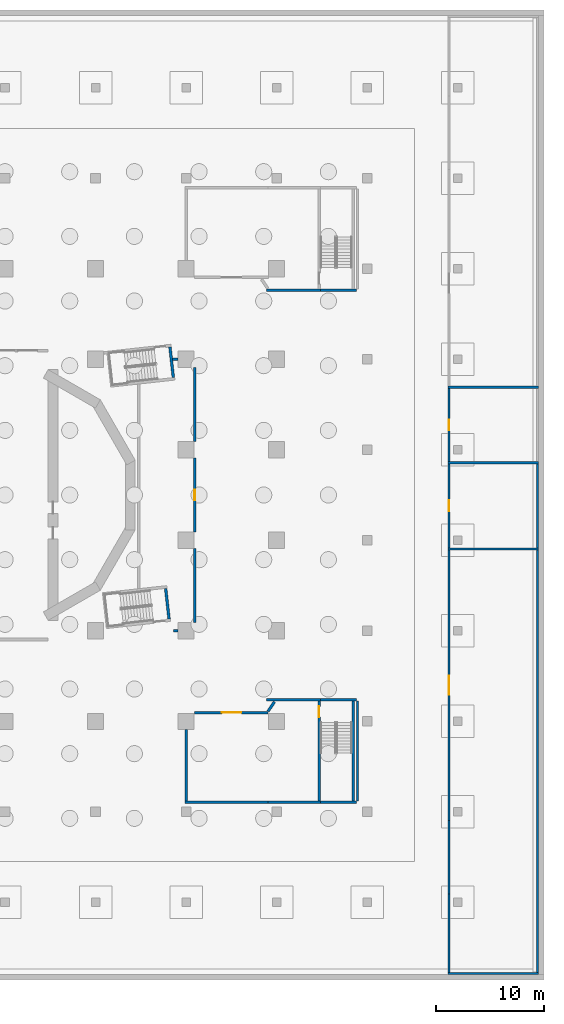
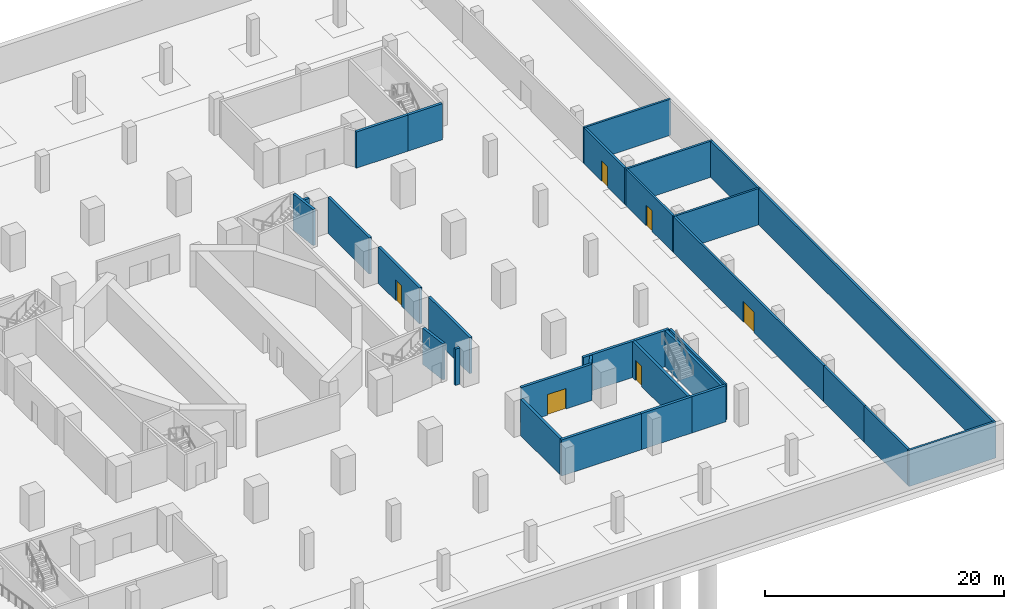
# One storey, part 8 of 20: 31 walls, 6 doors, 6 openings.
"""IFC4 building model written with IfcOpenShell, lengths in metres."""

from ifc_helpers import new_model, si_unit, direction, frame, frame_2d, origin, place, context, subcontext, project, spatial, rectangle, extrude, material, layer, layer_set, type_object, element, fill, save


model = new_model("IFC4")

# Units and contexts
model_context = context("Model", 3, precision=1e-05, world=origin(), true_north=direction((0.0, 1.0)))
body_context = subcontext(model_context, "Body", "Model", "MODEL_VIEW")
ifc_project = project(units=[si_unit("LENGTHUNIT", "METRE"), si_unit("AREAUNIT", "SQUARE_METRE"), si_unit("VOLUMEUNIT", "CUBIC_METRE"), si_unit("PLANEANGLEUNIT", "RADIAN"), si_unit("MASSUNIT", "GRAM", prefix="KILO")], contexts=[model_context])

# Site, building, storey
site_placement = place(None, origin())
site = spatial("IfcSite", under=ifc_project, at=site_placement, CompositionType="ELEMENT")
building_placement = place(site_placement, origin())
building = spatial("IfcBuilding", under=site, at=building_placement, Name="Cantera Rosa Tower", CompositionType="ELEMENT")
storey_placement = place(building_placement, frame((0.0, 0.0, -17.0)))
storey = spatial("IfcBuildingStorey", under=building, at=storey_placement, Name="B4", CompositionType="ELEMENT", Elevation=-17.0)

# Walls
ifc_material_1 = material(Name="Masonry blockwork", Category="masonry")
ifc_layer_1 = layer(ifc_material_1, 0.199951171875)
ifc_layer_set_1 = layer_set([ifc_layer_1], Name="Blockwork partition 200")
wall_type_1 = type_object("IfcWallType", Name="Blockwork partition 200", PredefinedType="PARTITIONING", material=ifc_layer_set_1)
wall_1_placement = place(storey_placement, frame((32.699951171875, -28.39990234375, 0.0), z_axis=(0.0, 0.0, 1.0), x_axis=(0.0, 1.0, 0.0)))
element("IfcWall", 1, at=wall_1_placement, inside=storey, type_object=wall_type_1, Name="Partition B4-32", PredefinedType="PARTITIONING", context=body_context, shape_type="SweptSolid", body=[
    extrude(rectangle(XDim=9.2998046875, YDim=0.199951171875, at=frame_2d((4.64990234375, 0.0))), origin(), (0.0, 0.0, 1.0), 3.699951171875),
])
wall_2_placement = place(storey_placement, frame((49.39990234375, -44.300048828125, 0.0), z_axis=(0.0, 0.0, 1.0), x_axis=(0.0, 1.0, 0.0)))
element("IfcWall", 2, at=wall_2_placement, inside=storey, type_object=wall_type_1, Name="Partition B4-64", PredefinedType="PARTITIONING", context=body_context, shape_type="SweptSolid", body=[
    extrude(rectangle(XDim=39.199951171875, YDim=0.199951171875, at=frame_2d((19.60009765625, 0.0))), origin(), (0.0, 0.0, 1.0), 3.699951171875),
])
wall_3_placement = place(storey_placement, frame((49.39990234375, -4.89990234375, 0.0), z_axis=(0.0, 0.0, 1.0), x_axis=(0.0, 1.0, 0.0)))
element("IfcWall", 3, at=wall_3_placement, inside=storey, type_object=wall_type_1, Name="Partition B4-65", PredefinedType="PARTITIONING", context=body_context, shape_type="SweptSolid", body=[
    extrude(rectangle(XDim=7.7998046875, YDim=0.199951171875, at=frame_2d((3.89990234375, 0.0))), origin(), (0.0, 0.0, 1.0), 3.699951171875),
])
wall_4_placement = place(storey_placement, frame((41.10009765625, -5.0, 0.0), z_axis=(0.0, 0.0, 1.0), x_axis=(1.0, 0.0, 0.0)))
element("IfcWall", 4, at=wall_4_placement, inside=storey, type_object=wall_type_1, Name="Partition B4-68", PredefinedType="PARTITIONING", context=body_context, shape_type="SweptSolid", body=[
    extrude(rectangle(XDim=8.39990234375, YDim=0.199951171875, at=frame_2d((4.199951171875, 0.0))), origin(), (0.0, 0.0, 1.0), 3.699951171875),
])
wall_5_placement = place(storey_placement, frame((41.199951171875, -44.300048828125, 0.0), z_axis=(0.0, 0.0, 1.0), x_axis=(0.0, 1.0, 0.0)))
element("IfcWall", 5, at=wall_5_placement, inside=storey, type_object=wall_type_1, Name="Partition B4-69", PredefinedType="PARTITIONING", context=body_context, shape_type="SweptSolid", body=[
    extrude(rectangle(XDim=7.300048828125, YDim=0.199951171875, at=frame_2d((3.64990234375, 0.0))), origin(), (0.0, 0.0, 1.0), 3.699951171875),
])
wall_6_placement = place(storey_placement, frame((41.199951171875, -37.0, 0.0), z_axis=(0.0, 0.0, 1.0), x_axis=(0.0, 1.0, 0.0)))
element("IfcWall", 6, at=wall_6_placement, inside=storey, type_object=wall_type_1, Name="Partition B4-70", PredefinedType="PARTITIONING", context=body_context, shape_type="SweptSolid", body=[
    extrude(rectangle(XDim=6.800048828125, YDim=0.199951171875, at=frame_2d((3.39990234375, 0.0))), origin(), (0.0, 0.0, 1.0), 3.699951171875),
])

# Wall, opening, door
wall_7_placement = place(storey_placement, frame((41.199951171875, -30.199951171875, 0.0), z_axis=(0.0, 0.0, 1.0), x_axis=(0.0, 1.0, 0.0)))
wall_7 = element("IfcWall", 7, at=wall_7_placement, inside=storey, type_object=wall_type_1, Name="Partition B4-71", PredefinedType="PARTITIONING", context=body_context, shape_type="SweptSolid", body=[
    extrude(rectangle(XDim=25.099853515625, YDim=0.199951171875, at=frame_2d((12.5498046875, 0.0))), origin(), (0.0, 0.0, 1.0), 3.699951171875),
])
opening_1_placement = place(wall_7_placement, frame((11.64990234375, 0.0, 0.0)))
opening_1 = element("IfcOpeningElement", 8, at=opening_1_placement, cuts=wall_7, Name="Opening B4-013", PredefinedType="OPENING", context=body_context, shape_type="SweptSolid", body=[
    extrude(rectangle(XDim=1.800048828125, YDim=2.10009765625, at=frame_2d((0.89990234375, 1.050048828125))), frame((0.0, 0.10986328125, 0.0), z_axis=(0.0, -1.0, 0.0), x_axis=(1.0, 0.0, 0.0)), (0.0, 0.0, 1.0), 0.219970703125),
])
ifc_material_2 = material(Name="Timber", Category="wood")
door_type_1 = type_object("IfcDoorType", Name="Double door 1800x2100", OperationType="NOTDEFINED", PredefinedType="DOOR", material=ifc_material_2)
door_1_placement = place(opening_1_placement, origin())
door_1 = element("IfcDoor", 9, at=door_1_placement, inside=storey, type_object=door_type_1, Name="Door B4-013", OperationType="DOUBLE_DOOR_SINGLE_SWING", OverallHeight=2.10009765625, OverallWidth=1.800048828125, PredefinedType="DOOR", context=body_context, shape_type="SweptSolid", body=[
    extrude(rectangle(XDim=1.800048828125, YDim=2.10009765625, at=frame_2d((0.89990234375, 1.050048828125))), frame((0.0, 0.02490234375, 0.0), z_axis=(0.0, -1.0, 0.0), x_axis=(1.0, 0.0, 0.0)), (0.0, 0.0, 1.0), 0.050048828125),
])
fill(opening_1, door_1)

wall_8_placement = place(storey_placement, frame((41.199951171875, -4.89990234375, 0.0), z_axis=(0.0, 0.0, 1.0), x_axis=(0.0, 1.0, 0.0)))
wall_8 = element("IfcWall", 10, at=wall_8_placement, inside=storey, type_object=wall_type_1, Name="Partition B4-72", PredefinedType="PARTITIONING", context=body_context, shape_type="SweptSolid", body=[
    extrude(rectangle(XDim=7.7998046875, YDim=0.199951171875, at=frame_2d((3.89990234375, 0.0))), origin(), (0.0, 0.0, 1.0), 3.699951171875),
])
opening_2_placement = place(wall_8_placement, frame((3.39990234375, 0.0, 0.0)))
opening_2 = element("IfcOpeningElement", 11, at=opening_2_placement, cuts=wall_8, Name="Opening B4-014", PredefinedType="OPENING", context=body_context, shape_type="SweptSolid", body=[
    extrude(rectangle(XDim=1.0, YDim=2.10009765625, at=frame_2d((0.5, 1.050048828125))), frame((0.0, 0.10986328125, 0.0), z_axis=(0.0, -1.0, 0.0), x_axis=(1.0, 0.0, 0.0)), (0.0, 0.0, 1.0), 0.219970703125),
])
ifc_material_3 = material(Name="Timber", Category="wood")
door_type_2 = type_object("IfcDoorType", Name="Door 1000x2100", OperationType="NOTDEFINED", PredefinedType="DOOR", material=ifc_material_3)
door_2_placement = place(opening_2_placement, origin())
door_2 = element("IfcDoor", 12, at=door_2_placement, inside=storey, type_object=door_type_2, Name="Door B4-014", OverallHeight=2.10009765625, OverallWidth=1.0, PredefinedType="DOOR", context=body_context, shape_type="SweptSolid", body=[
    extrude(rectangle(XDim=1.0, YDim=2.10009765625, at=frame_2d((0.5, 1.050048828125))), frame((0.0, 0.02490234375, 0.0), z_axis=(0.0, -1.0, 0.0), x_axis=(1.0, 0.0, 0.0)), (0.0, 0.0, 1.0), 0.050048828125),
])
fill(opening_2, door_2)

wall_9_placement = place(storey_placement, frame((41.199951171875, 3.10009765625, 0.0), z_axis=(0.0, 0.0, 1.0), x_axis=(0.0, 1.0, 0.0)))
wall_9 = element("IfcWall", 13, at=wall_9_placement, inside=storey, type_object=wall_type_1, Name="Partition B4-73", PredefinedType="PARTITIONING", context=body_context, shape_type="SweptSolid", body=[
    extrude(rectangle(XDim=6.7998046875, YDim=0.199951171875, at=frame_2d((3.39990234375, 0.0))), origin(), (0.0, 0.0, 1.0), 3.699951171875),
])
opening_3_placement = place(wall_9_placement, frame((2.89990234375, 0.0, 0.0)))
opening_3 = element("IfcOpeningElement", 14, at=opening_3_placement, cuts=wall_9, Name="Opening B4-015", PredefinedType="OPENING", context=body_context, shape_type="SweptSolid", body=[
    extrude(rectangle(XDim=1.0, YDim=2.10009765625, at=frame_2d((0.5, 1.050048828125))), frame((0.0, 0.10986328125, 0.0), z_axis=(0.0, -1.0, 0.0), x_axis=(1.0, 0.0, 0.0)), (0.0, 0.0, 1.0), 0.219970703125),
])
door_3_placement = place(opening_3_placement, origin())
door_3 = element("IfcDoor", 15, at=door_3_placement, inside=storey, type_object=door_type_2, Name="Door B4-015", OverallHeight=2.10009765625, OverallWidth=1.0, PredefinedType="DOOR", context=body_context, shape_type="SweptSolid", body=[
    extrude(rectangle(XDim=1.0, YDim=2.10009765625, at=frame_2d((0.5, 1.050048828125))), frame((0.0, 0.02490234375, 0.0), z_axis=(0.0, -1.0, 0.0), x_axis=(1.0, 0.0, 0.0)), (0.0, 0.0, 1.0), 0.050048828125),
])
fill(opening_3, door_3)

# Walls
for number, where, z_axis, x_axis, name in (
    (16, (41.10009765625, -44.39990234375, 0.0), (0.0, 0.0, 1.0), (1.0, 0.0, 0.0), "Partition B4-77"),
    (17, (41.10009765625, 3.0, 0.0), (0.0, 0.0, 1.0), (1.0, 0.0, 0.0), "Partition B4-78"),
    (18, (41.10009765625, 10.0, 0.0), (0.0, 0.0, 1.0), (1.0, 0.0, 0.0), "Partition B4-79"),
):
    element("IfcWall", number, at=place(storey_placement, frame(where, z_axis=z_axis, x_axis=x_axis)), inside=storey, type_object=wall_type_1, Name=name, PredefinedType="PARTITIONING", context=body_context, shape_type="SweptSolid", body=[
        extrude(rectangle(XDim=8.39990234375, YDim=0.199951171875, at=frame_2d((4.199951171875, 0.0))), origin(), (0.0, 0.0, 1.0), 3.699951171875),
    ])
ifc_material_4 = material(Name="Concrete C50/60", Category="concrete")
ifc_layer_2 = layer(ifc_material_4, 0.25)
ifc_layer_set_2 = layer_set([ifc_layer_2], Name="External stair wall 250")
wall_type_2 = type_object("IfcWallType", Name="External stair wall 250", PredefinedType="SOLIDWALL", material=ifc_layer_set_2)
for number, where, z_axis, x_axis, name in (
    (19, (32.60009765625, 19.0, 0.0), (0.0, 0.0, 1.0), (-1.0, 0.0, 0.0), "Stair wall B4-31"),
    (20, (29.27490234375, -19.0, 0.0), (0.0, 0.0, 1.0), (1.0, 0.0, 0.0), "Stair wall B4-54"),
    (21, (32.60009765625, -28.5, 0.0), (0.0, 0.0, 1.0), (-1.0, 0.0, 0.0), "Stair wall B4-61"),
):
    element("IfcWall", number, at=place(storey_placement, frame(where, z_axis=z_axis, x_axis=x_axis)), inside=storey, type_object=wall_type_2, Name=name, PredefinedType="SOLIDWALL", context=body_context, shape_type="SweptSolid", body=[
        extrude(rectangle(XDim=3.3251953125, YDim=0.25, at=frame_2d((1.66259765625, 0.0))), origin(), (0.0, 0.0, 1.0), 3.699951171875),
    ])
ifc_material_5 = material(Name="Masonry blockwork", Category="masonry")
ifc_layer_3 = layer(ifc_material_5, 0.25)
ifc_layer_set_3 = layer_set([ifc_layer_3], Name="Fire-rated external wall 250")
wall_type_3 = type_object("IfcWallType", Name="Fire-rated external wall 250", PredefinedType="PARTITIONING", material=ifc_layer_set_3)
wall_10_placement = place(storey_placement, frame((15.613525390625, -12.60009765625, 0.0), z_axis=(0.0, 0.0, 1.0), x_axis=(1.0, 0.0, 0.0)))
element("IfcWall", 22, at=wall_10_placement, inside=storey, type_object=wall_type_3, Name="Fire wall B4-7", PredefinedType="PARTITIONING", context=body_context, shape_type="SweptSolid", body=[
    extrude(rectangle(XDim=0.4365234375, YDim=0.25, at=frame_2d((0.21826171875, 0.0))), origin(), (0.0, 0.0, 1.0), 3.699951171875),
])
wall_11_placement = place(storey_placement, frame((15.5517578125, 12.60009765625, 0.0), z_axis=(0.0, 0.0, 1.0), x_axis=(1.0, 0.0, 0.0)))
element("IfcWall", 23, at=wall_11_placement, inside=storey, type_object=wall_type_3, Name="Fire wall B4-10", PredefinedType="PARTITIONING", context=body_context, shape_type="SweptSolid", body=[
    extrude(rectangle(XDim=0.498291015625, YDim=0.25, at=frame_2d((0.2490234375, 0.0))), origin(), (0.0, 0.0, 1.0), 3.699951171875),
])
wall_12_placement = place(storey_placement, frame((24.27490234375, 19.0, 0.0), z_axis=(0.0, 0.0, 1.0), x_axis=(1.0, 0.0, 0.0)))
element("IfcWall", 24, at=wall_12_placement, inside=storey, type_object=wall_type_3, Name="Fire wall B4-30", PredefinedType="PARTITIONING", context=body_context, shape_type="SweptSolid", body=[
    extrude(rectangle(XDim=5.0, YDim=0.25, at=frame_2d((2.5, 0.0))), origin(), (0.0, 0.0, 1.0), 3.699951171875),
])
wall_13_placement = place(storey_placement, frame((16.800048828125, -28.375, 0.0), z_axis=(0.0, 0.0, 1.0), x_axis=(0.0, 1.0, 0.0)))
element("IfcWall", 25, at=wall_13_placement, inside=storey, type_object=wall_type_3, Name="Fire wall B4-34", PredefinedType="PARTITIONING", context=body_context, shape_type="SweptSolid", body=[
    extrude(rectangle(XDim=6.625, YDim=0.25, at=frame_2d((3.3125, 0.0))), origin(), (0.0, 0.0, 1.0), 3.699951171875),
])
wall_14_placement = place(storey_placement, frame((24.27490234375, -19.0, 0.0), z_axis=(0.0, 0.0, 1.0), x_axis=(1.0, 0.0, 0.0)))
element("IfcWall", 26, at=wall_14_placement, inside=storey, type_object=wall_type_3, Name="Fire wall B4-53", PredefinedType="PARTITIONING", context=body_context, shape_type="SweptSolid", body=[
    extrude(rectangle(XDim=5.0, YDim=0.25, at=frame_2d((2.5, 0.0))), origin(), (0.0, 0.0, 1.0), 3.699951171875),
])
wall_15_placement = place(storey_placement, frame((16.675048828125, -28.5, 0.0), z_axis=(0.0, 0.0, 1.0), x_axis=(1.0, 0.0, 0.0)))
element("IfcWall", 27, at=wall_15_placement, inside=storey, type_object=wall_type_3, Name="Fire wall B4-59", PredefinedType="PARTITIONING", context=body_context, shape_type="SweptSolid", body=[
    extrude(rectangle(XDim=7.724853515625, YDim=0.25, at=frame_2d((3.8623046875, 0.0))), origin(), (0.0, 0.0, 1.0), 3.699951171875),
])
wall_16_placement = place(storey_placement, frame((24.39990234375, -28.5, 0.0), z_axis=(0.0, 0.0, 1.0), x_axis=(1.0, 0.0, 0.0)))
element("IfcWall", 28, at=wall_16_placement, inside=storey, type_object=wall_type_3, Name="Fire wall B4-60", PredefinedType="PARTITIONING", context=body_context, shape_type="SweptSolid", body=[
    extrude(rectangle(XDim=4.875, YDim=0.25, at=frame_2d((2.4375, 0.0))), origin(), (0.0, 0.0, 1.0), 3.699951171875),
])
ifc_material_6 = material(Name="Masonry blockwork", Category="masonry")
ifc_layer_4 = layer(ifc_material_6, 0.25)
ifc_layer_set_4 = layer_set([ifc_layer_4], Name="Fire-rated wall 250")
wall_type_4 = type_object("IfcWallType", Name="Fire-rated wall 250", PredefinedType="PARTITIONING", material=ifc_layer_set_4)
wall_17_placement = place(storey_placement, frame((17.60009765625, -11.85009765625, 0.0), z_axis=(0.0, 0.0, 1.0), x_axis=(0.0, 1.0, 0.0)))
element("IfcWall", 29, at=wall_17_placement, inside=storey, type_object=wall_type_4, Name="Fire wall B4-3", PredefinedType="PARTITIONING", context=body_context, shape_type="SweptSolid", body=[
    extrude(rectangle(XDim=6.900146484375, YDim=0.25, at=frame_2d((3.4501953125, 0.0))), origin(), (0.0, 0.0, 1.0), 3.699951171875),
])

# Wall, opening, door
wall_18_placement = place(storey_placement, frame((17.60009765625, -3.449951171875, 0.0), z_axis=(0.0, 0.0, 1.0), x_axis=(0.0, 1.0, 0.0)))
wall_18 = element("IfcWall", 30, at=wall_18_placement, inside=storey, type_object=wall_type_4, Name="Fire wall B4-4", PredefinedType="PARTITIONING", context=body_context, shape_type="SweptSolid", body=[
    extrude(rectangle(XDim=6.89990234375, YDim=0.25, at=frame_2d((3.449951171875, 0.0))), origin(), (0.0, 0.0, 1.0), 3.699951171875),
])
opening_4_placement = place(wall_18_placement, frame((2.949951171875, 0.0, 0.0)))
opening_4 = element("IfcOpeningElement", 31, at=opening_4_placement, cuts=wall_18, Name="Opening B4-011", PredefinedType="OPENING", context=body_context, shape_type="SweptSolid", body=[
    extrude(rectangle(XDim=1.0, YDim=2.10009765625, at=frame_2d((0.5, 1.050048828125))), frame((0.0, 0.135009765625, 0.0), z_axis=(0.0, -1.0, 0.0), x_axis=(1.0, 0.0, 0.0)), (0.0, 0.0, 1.0), 0.27001953125),
])
ifc_material_7 = material(Name="Steel S355J2 (EN 10025-2)", Category="steel")
door_type_3 = type_object("IfcDoorType", Name="Fire door 1000x2100", OperationType="NOTDEFINED", PredefinedType="DOOR", material=ifc_material_7)
door_4_placement = place(opening_4_placement, origin())
door_4 = element("IfcDoor", 32, at=door_4_placement, inside=storey, type_object=door_type_3, Name="Door B4-011", OverallHeight=2.10009765625, OverallWidth=1.0, PredefinedType="DOOR", context=body_context, shape_type="SweptSolid", body=[
    extrude(rectangle(XDim=1.0, YDim=2.10009765625, at=frame_2d((0.5, 1.050048828125))), frame((0.0, 0.02490234375, 0.0), z_axis=(0.0, -1.0, 0.0), x_axis=(1.0, 0.0, 0.0)), (0.0, 0.0, 1.0), 0.050048828125),
])
fill(opening_4, door_4)

# Walls
wall_19_placement = place(storey_placement, frame((17.60009765625, 4.949951171875, 0.0), z_axis=(0.0, 0.0, 1.0), x_axis=(0.0, 1.0, 0.0)))
element("IfcWall", 33, at=wall_19_placement, inside=storey, type_object=wall_type_4, Name="Fire wall B4-5", PredefinedType="PARTITIONING", context=body_context, shape_type="SweptSolid", body=[
    extrude(rectangle(XDim=6.900146484375, YDim=0.25, at=frame_2d((3.4501953125, 0.0))), origin(), (0.0, 0.0, 1.0), 3.699951171875),
])
wall_20_placement = place(storey_placement, frame((24.39990234375, -20.074951171875, 0.0), z_axis=(0.0, 0.0, 1.0), x_axis=(0.559343029511, 0.828936291483, 0.0)))
element("IfcWall", 34, at=wall_20_placement, inside=storey, type_object=wall_type_4, Name="Fire wall B4-36", PredefinedType="PARTITIONING", context=body_context, shape_type="SweptSolid", body=[
    extrude(rectangle(XDim=1.06591796875, YDim=0.25, at=frame_2d((0.532958984375, 0.0))), origin(), (0.0, 0.0, 1.0), 3.699951171875),
])

# Wall, opening, door
wall_21_placement = place(storey_placement, frame((17.60009765625, -20.199951171875, 0.0), z_axis=(0.0, 0.0, 1.0), x_axis=(1.0, 0.0, 0.0)))
wall_21 = element("IfcWall", 35, at=wall_21_placement, inside=storey, type_object=wall_type_4, Name="Fire wall B4-63", PredefinedType="PARTITIONING", context=body_context, shape_type="SweptSolid", body=[
    extrude(rectangle(XDim=6.809814453125, YDim=0.25, at=frame_2d((3.40478515625, 0.0))), origin(), (0.0, 0.0, 1.0), 3.699951171875),
])
opening_5_placement = place(wall_21_placement, frame((2.52490234375, 0.0, 0.0)))
opening_5 = element("IfcOpeningElement", 36, at=opening_5_placement, cuts=wall_21, Name="Opening B4-005", PredefinedType="OPENING", context=body_context, shape_type="SweptSolid", body=[
    extrude(rectangle(XDim=1.800048828125, YDim=2.10009765625, at=frame_2d((0.89990234375, 1.050048828125))), frame((0.0, 0.135009765625, 0.0), z_axis=(0.0, -1.0, 0.0), x_axis=(1.0, 0.0, 0.0)), (0.0, 0.0, 1.0), 0.27001953125),
])
ifc_material_8 = material(Name="Steel S355J2 (EN 10025-2)", Category="steel")
door_type_4 = type_object("IfcDoorType", Name="Fire double door 1800x2100", OperationType="NOTDEFINED", PredefinedType="DOOR", material=ifc_material_8)
door_5_placement = place(opening_5_placement, origin())
door_5 = element("IfcDoor", 37, at=door_5_placement, inside=storey, type_object=door_type_4, Name="Door B4-005", OperationType="DOUBLE_DOOR_SINGLE_SWING", OverallHeight=2.10009765625, OverallWidth=1.800048828125, PredefinedType="DOOR", context=body_context, shape_type="SweptSolid", body=[
    extrude(rectangle(XDim=1.800048828125, YDim=2.10009765625, at=frame_2d((0.89990234375, 1.050048828125))), frame((0.0, 0.02490234375, 0.0), z_axis=(0.0, -1.0, 0.0), x_axis=(1.0, 0.0, 0.0)), (0.0, 0.0, 1.0), 0.050048828125),
])
fill(opening_5, door_5)

# Wall
ifc_material_9 = material(Name="Concrete C50/60", Category="concrete")
ifc_layer_5 = layer(ifc_material_9, 0.25)
ifc_layer_set_5 = layer_set([ifc_layer_5], Name="RC stair wall 250 C50/60")
wall_type_5 = type_object("IfcWallType", Name="RC stair wall 250", PredefinedType="SOLIDWALL", material=ifc_layer_set_5)
wall_22_placement = place(storey_placement, frame((32.300048828125, -28.375, 0.0), z_axis=(0.0, 0.0, 1.0), x_axis=(0.0, 1.0, 0.0)))
element("IfcWall", 38, at=wall_22_placement, inside=storey, type_object=wall_type_5, Name="Stair wall B4-16", PredefinedType="SOLIDWALL", context=body_context, shape_type="SweptSolid", body=[
    extrude(rectangle(XDim=9.25, YDim=0.25, at=frame_2d((4.625, 0.0))), origin(), (0.0, 0.0, 1.0), 3.699951171875),
])

# Wall, opening, door
wall_23_placement = place(storey_placement, frame((29.14990234375, -28.375, 0.0), z_axis=(0.0, 0.0, 1.0), x_axis=(0.0, 1.0, 0.0)))
wall_23 = element("IfcWall", 39, at=wall_23_placement, inside=storey, type_object=wall_type_5, Name="Stair wall B4-25", PredefinedType="SOLIDWALL", context=body_context, shape_type="SweptSolid", body=[
    extrude(rectangle(XDim=9.25, YDim=0.25, at=frame_2d((4.625, 0.0))), origin(), (0.0, 0.0, 1.0), 3.699951171875),
])
opening_6_placement = place(wall_23_placement, frame((7.77490234375, 0.0, 0.0)))
opening_6 = element("IfcOpeningElement", 40, at=opening_6_placement, cuts=wall_23, Name="Opening B4-006", PredefinedType="OPENING", context=body_context, shape_type="SweptSolid", body=[
    extrude(rectangle(XDim=1.0, YDim=2.10009765625, at=frame_2d((0.5, 1.050048828125))), frame((0.0, 0.135009765625, 0.0), z_axis=(0.0, -1.0, 0.0), x_axis=(1.0, 0.0, 0.0)), (0.0, 0.0, 1.0), 0.27001953125),
])
ifc_material_10 = material(Name="Steel S355J2 (EN 10025-2)", Category="steel")
door_type_5 = type_object("IfcDoorType", Name="Fire door 1000x2100 EI 120", OperationType="NOTDEFINED", PredefinedType="DOOR", material=ifc_material_10)
door_6_placement = place(opening_6_placement, origin())
door_6 = element("IfcDoor", 41, at=door_6_placement, inside=storey, type_object=door_type_5, Name="Door B4-006", OverallHeight=2.10009765625, OverallWidth=1.0, PredefinedType="DOOR", context=body_context, shape_type="SweptSolid", body=[
    extrude(rectangle(XDim=1.0, YDim=2.10009765625, at=frame_2d((0.5, 1.050048828125))), frame((0.0, 0.02490234375, 0.0), z_axis=(0.0, -1.0, 0.0), x_axis=(1.0, 0.0, 0.0)), (0.0, 0.0, 1.0), 0.050048828125),
])
fill(opening_6, door_6)

# Walls
wall_24_placement = place(storey_placement, frame((15.30029296875, 13.7333984375, 0.0), z_axis=(0.0, 0.0, 1.0), x_axis=(0.110252878147, -0.99390356819, 0.0)))
element("IfcWall", 42, at=wall_24_placement, inside=storey, type_object=wall_type_5, Name="Stair wall ST-11 B4-1", PredefinedType="SOLIDWALL", context=body_context, shape_type="SweptSolid", body=[
    extrude(rectangle(XDim=2.849853515625, YDim=0.25, at=frame_2d((1.4248046875, 0.0))), origin(), (0.0, 0.0, 1.0), 3.699951171875),
])
wall_25_placement = place(storey_placement, frame((14.900390625, -8.66650390625, 0.0), z_axis=(0.0, 0.0, 1.0), x_axis=(0.110243491536, -0.993904609394, 0.0)))
element("IfcWall", 43, at=wall_25_placement, inside=storey, type_object=wall_type_5, Name="Stair wall ST-14 B4-1", PredefinedType="SOLIDWALL", context=body_context, shape_type="SweptSolid", body=[
    extrude(rectangle(XDim=2.85009765625, YDim=0.25, at=frame_2d((1.425048828125, 0.0))), origin(), (0.0, 0.0, 1.0), 3.699951171875),
])

save(model, "model.ifc")
